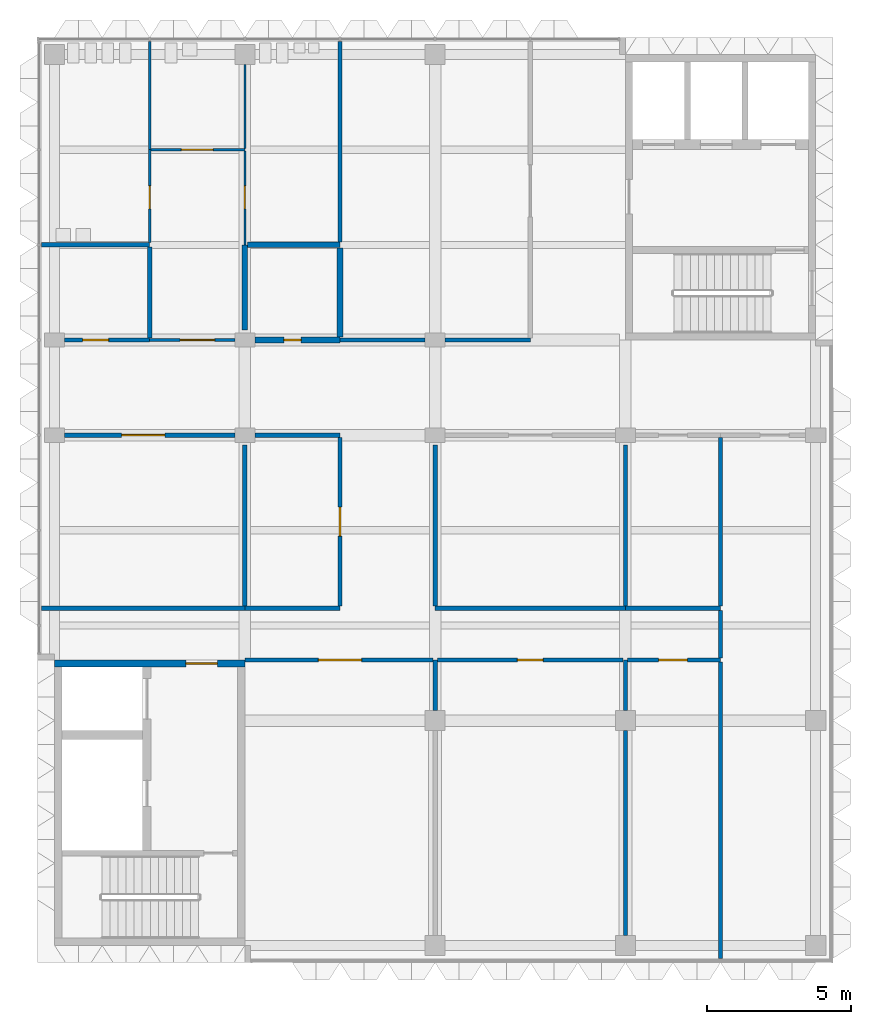
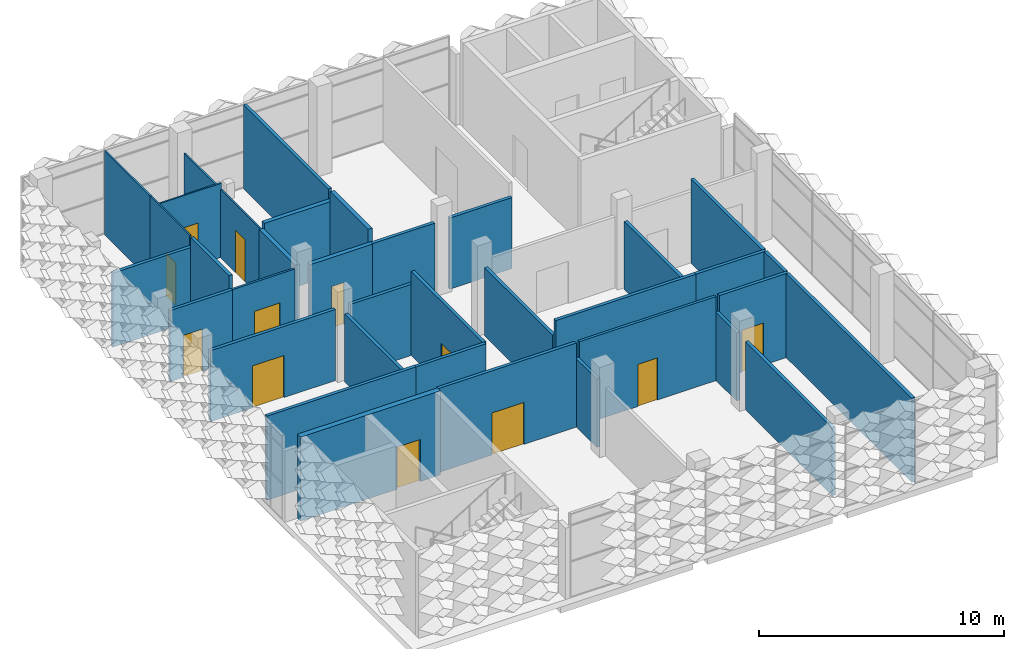
# One storey, part 9 of 28: 36 walls, 12 doors, 12 openings.
"""IFC4 building model written with IfcOpenShell, lengths in metres."""

import ifcopenshell
import ifcopenshell.guid

model = None  # the IFC model being written
_history = None  # IfcOwnerHistory: only IFC2X3 demands one
_inside = {}  # id of a spatial element -> (the spatial element, [elements in it])
_under = {}  # id of a project, library or spatial element -> (it, [spatial elements below it])
_declared = {}  # id of a project -> (the project, [libraries it declares])
_typed = {}  # id of a type object -> (the type object, [elements of that type])
_made_of = {}  # id of a material, layer set ... -> (it, [elements and type objects made of it])


def new_model(schema):
    """Start an empty IFC model of exactly this schema.

    Asked for "IFC4X3", IfcOpenShell would pick the latest addendum, in which some entities
    have other attributes; the version numbers below select the first issue.
    IFC2X3 requires an IfcOwnerHistory on every rooted entity: one is made here for all.
    """
    global model, _history
    if schema == "IFC4X3":
        model = ifcopenshell.file(schema_version=(4, 3, 0, 0))
    else:
        model = ifcopenshell.file(schema=schema)
    _inside.clear()
    _under.clear()
    _declared.clear()
    _typed.clear()
    _made_of.clear()
    _history = None
    if model.schema == "IFC2X3":
        org = make("IfcOrganization", Name="unknown")
        user = make(
            "IfcPersonAndOrganization",
            ThePerson=make("IfcPerson", FamilyName="unknown"),
            TheOrganization=org,
        )
        app = make(
            "IfcApplication",
            ApplicationDeveloper=org,
            Version="unknown",
            ApplicationFullName="unknown",
            ApplicationIdentifier="unknown",
        )
        _history = make(
            "IfcOwnerHistory",
            OwningUser=user,
            OwningApplication=app,
            ChangeAction="ADDED",
            CreationDate=0,
        )
    return model


def make(cls, **values):
    """One entity of the class cls with the attributes given. An attribute that is None is left unset."""
    return model.create_entity(
        cls, **{name: value for name, value in values.items() if value is not None}
    )


def rooted(cls, **values):
    """An entity with a GlobalId (a new one), such as an element, a storey or a relation."""
    return make(cls, GlobalId=ifcopenshell.guid.new(), OwnerHistory=_history, **values)


def si_unit(unit_type, name, prefix=None):
    """IfcSIUnit, for example si_unit("LENGTHUNIT", "METRE", prefix="MILLI")."""
    return make("IfcSIUnit", UnitType=unit_type, Prefix=prefix, Name=name)


def assignment(units):
    """IfcUnitAssignment: the units of a project."""
    return None if units is None else make("IfcUnitAssignment", Units=units)


def point(xyz):
    """IfcCartesianPoint."""
    return None if xyz is None else make("IfcCartesianPoint", Coordinates=xyz)


def direction(xyz):
    """IfcDirection."""
    return None if xyz is None else make("IfcDirection", DirectionRatios=xyz)


def frame(location, z_axis=None, x_axis=None):
    """IfcAxis2Placement3D, a coordinate frame: its origin and axes. An axis left out is left unset."""
    return make(
        "IfcAxis2Placement3D",
        Location=point(location),
        Axis=direction(z_axis),
        RefDirection=direction(x_axis),
    )


def frame_2d(location, x_axis=None):
    """IfcAxis2Placement2D, a coordinate frame in the plane: its origin and x axis."""
    return make(
        "IfcAxis2Placement2D", Location=point(location), RefDirection=direction(x_axis)
    )


def origin():
    """The frame at (0, 0, 0) with its axes left unset."""
    return frame((0.0, 0.0, 0.0))


def place(relative_to, where):
    """IfcLocalPlacement: puts the frame where relative to a parent placement (None: the world)."""
    return make(
        "IfcLocalPlacement", PlacementRelTo=relative_to, RelativePlacement=where
    )


def context(
    kind, dimensions, precision=None, world=None, true_north=None, identifier=None
):
    """IfcGeometricRepresentationContext, for example the 3D "Model" context."""
    return make(
        "IfcGeometricRepresentationContext",
        ContextIdentifier=identifier,
        ContextType=kind,
        CoordinateSpaceDimension=dimensions,
        Precision=precision,
        WorldCoordinateSystem=world,
        TrueNorth=true_north,
    )


def subcontext(parent, identifier, kind, view, scale=None):
    """IfcGeometricRepresentationSubContext, for example "Body" below "Model"."""
    return make(
        "IfcGeometricRepresentationSubContext",
        ContextIdentifier=identifier,
        ContextType=kind,
        ParentContext=parent,
        TargetScale=scale,
        TargetView=view,
    )


def project(units=None, contexts=None):
    """IfcProject with its units and contexts."""
    return rooted(
        "IfcProject",
        Name="project",
        RepresentationContexts=contexts,
        UnitsInContext=assignment(units),
    )


def spatial(cls, under=None, at=None, **own):
    """A site, building, storey or space (cls), placed at a placement, below another one or the project."""
    s = rooted(cls, ObjectPlacement=at, **own)
    if under is not None:
        _under.setdefault(under.id(), (under, []))[1].append(s)
    return s


def profile(cls, at=None, kind="AREA", **sizes):
    """A parametric profile (cls). Its sizes go by their IFC names, for example OverallWidth=200.0."""
    return make(cls, ProfileType=kind, Position=at, **sizes)


def rectangle(**sizes):
    """IfcRectangleProfileDef."""
    return profile("IfcRectangleProfileDef", **sizes)


def extrude(swept, where, along, depth):
    """IfcExtrudedAreaSolid: the profile swept, set in the frame where, extruded along a direction by depth."""
    return make(
        "IfcExtrudedAreaSolid",
        SweptArea=swept,
        Position=where,
        ExtrudedDirection=direction(along),
        Depth=depth,
    )


def shape(context_of_items, identifier, shape_type, items):
    """IfcShapeRepresentation: the items that make up one representation, for example the "Body"."""
    return make(
        "IfcShapeRepresentation",
        ContextOfItems=context_of_items,
        RepresentationIdentifier=identifier,
        RepresentationType=shape_type,
        Items=items,
    )


def material(Name=None, Category=None):
    """IfcMaterial."""
    return make("IfcMaterial", Name=Name, Category=Category)


def layer(
    of_material, thickness, ventilated=None, Name=None, Category=None, Priority=None
):
    """IfcMaterialLayer: one layer of a wall or slab, of a material (None: an air gap)."""
    return make(
        "IfcMaterialLayer",
        Material=of_material,
        LayerThickness=thickness,
        IsVentilated=ventilated,
        Name=Name,
        Category=Category,
        Priority=Priority,
    )


def layer_set(layers, Name=None):
    """IfcMaterialLayerSet."""
    return make("IfcMaterialLayerSet", MaterialLayers=layers, LayerSetName=Name)


def made_of(thing, what):
    """Note that an element or type object is made of a material, layer set ...; save() writes the relation."""
    if what is not None:
        _made_of.setdefault(what.id(), (what, []))[1].append(thing)
    return thing


def type_object(cls, material=None, **own):
    """A type object (cls), such as IfcWallType, which elements share."""
    return made_of(rooted(cls, **own), material)


def element(
    cls,
    number,
    at=None,
    inside=None,
    cuts=None,
    type_object=None,
    material=None,
    context=None,
    identifier="Body",
    shape_type=None,
    held_by="IfcProductDefinitionShape",
    body=None,
    shapes=None,
    **own,
):
    """One element of the class cls, such as IfcWall. Its Tag is "e" and its number.

    at: its placement. inside: the storey or other place that contains it. cuts: it is an
    opening in that element (IfcRelVoidsElement). A single representation is given by context,
    identifier, shape_type and body (its items); several are given by shapes. held_by: the class
    of the entity that holds the representations. save() writes the other relations.
    """
    e = rooted(cls, Tag="e%d" % number, ObjectPlacement=at, **own)
    if body is not None:
        shapes = [shape(context, identifier, shape_type, body)]
    if shapes is not None:
        e.Representation = make(held_by, Representations=shapes)
    if inside is not None:
        _inside.setdefault(inside.id(), (inside, []))[1].append(e)
    if cuts is not None:
        rooted(
            "IfcRelVoidsElement", RelatingBuildingElement=cuts, RelatedOpeningElement=e
        )
    if type_object is not None:
        _typed.setdefault(type_object.id(), (type_object, []))[1].append(e)
    return made_of(e, material)


def fill(opening, filler):
    """IfcRelFillsElement: the door or window that sits in an opening."""
    return rooted(
        "IfcRelFillsElement",
        RelatingOpeningElement=opening,
        RelatedBuildingElement=filler,
    )


def aggregate(whole, parts):
    """IfcRelAggregates: a whole, such as a stair, and the parts it consists of."""
    return rooted("IfcRelAggregates", RelatingObject=whole, RelatedObjects=parts)


def save(model, path):
    """Write the relations noted so far, then the file.

    IfcRelAggregates (storeys below a building ...), IfcRelContainedInSpatialStructure (elements
    in a storey), IfcRelDefinesByType, IfcRelAssociatesMaterial and IfcRelDeclares: one each for
    every whole, place, type object, material and project.
    """
    for whole, parts in _under.values():
        aggregate(whole, parts)
    for where, things in _inside.values():
        rooted(
            "IfcRelContainedInSpatialStructure",
            RelatedElements=things,
            RelatingStructure=where,
        )
    for kind, things in _typed.values():
        rooted("IfcRelDefinesByType", RelatedObjects=things, RelatingType=kind)
    for what, things in _made_of.values():
        rooted("IfcRelAssociatesMaterial", RelatedObjects=things, RelatingMaterial=what)
    for by, libraries in _declared.values():
        rooted("IfcRelDeclares", RelatingContext=by, RelatedDefinitions=libraries)
    model.write(path)


model = new_model("IFC4")

# Units and contexts
model_context = context("Model", 3, precision=1e-05, world=origin(), true_north=direction((0.0, 1.0)))
body_context = subcontext(model_context, "Body", "Model", "MODEL_VIEW")
ifc_project = project(units=[si_unit("LENGTHUNIT", "METRE"), si_unit("AREAUNIT", "SQUARE_METRE"), si_unit("VOLUMEUNIT", "CUBIC_METRE"), si_unit("PLANEANGLEUNIT", "RADIAN"), si_unit("MASSUNIT", "GRAM", prefix="KILO")], contexts=[model_context])

# Site, building, storey
site_placement = place(None, origin())
site = spatial("IfcSite", under=ifc_project, at=site_placement, CompositionType="ELEMENT")
building_placement = place(site_placement, origin())
building = spatial("IfcBuilding", under=site, at=building_placement, Name="Lantern Court Research Institute", CompositionType="ELEMENT")
storey_placement = place(building_placement, frame((0.0, 0.0, 36.89990234375)))
storey = spatial("IfcBuildingStorey", under=building, at=storey_placement, Name="L08", CompositionType="ELEMENT", Elevation=36.89990234375)

# Wall, opening, door
ifc_material_1 = material(Name="Fire-rated gypsum board partition, mineral wool filled")
ifc_layer_1 = layer(ifc_material_1, 0.199951171875)
ifc_layer_set_1 = layer_set([ifc_layer_1], Name="Fire-rated gypsum board partition, mineral wool filled")
wall_type_1 = type_object("IfcWallType", Name="Compartment wall 200 EI 120", PredefinedType="PARTITIONING", material=ifc_layer_set_1)
wall_1_placement = place(storey_placement, frame((59.75, 13.199951171875, 0.0), z_axis=(0.0, 0.0, 1.0), x_axis=(1.0, 0.0, 0.0)))
wall_1 = element("IfcWall", 1, at=wall_1_placement, inside=storey, type_object=wall_type_1, Name="Compartment wall 200 EI 120", PredefinedType="PARTITIONING", context=body_context, shape_type="SweptSolid", body=[
    extrude(rectangle(XDim=2.949951171875, YDim=0.199951171875, at=frame_2d((1.47509765625, 0.0))), origin(), (0.0, 0.0, 1.0), 3.550048828125),
])
opening_1_placement = place(wall_1_placement, frame((1.0, 0.0, 0.0)))
opening_1 = element("IfcOpeningElement", 2, at=opening_1_placement, cuts=wall_1, Name="Opening D5805", PredefinedType="OPENING", context=body_context, shape_type="SweptSolid", body=[
    extrude(rectangle(XDim=0.60009765625, YDim=2.10009765625, at=frame_2d((0.300048828125, 1.050048828125))), frame((0.0, 0.10986328125, 0.0), z_axis=(0.0, -1.0, 0.0), x_axis=(1.0, 0.0, 0.0)), (0.0, 0.0, 1.0), 0.219970703125),
])
ifc_material_2 = material(Name="Solid-core timber door leaf", Category="wood")
ifc_layer_2 = layer(ifc_material_2, 0.06005859375)
ifc_layer_set_2 = layer_set([ifc_layer_2], Name="Solid-core timber door leaf")
door_type_1 = type_object("IfcDoorType", Name="Service riser door 600 x 2100 single FD60", OperationType="NOTDEFINED", PredefinedType="DOOR", material=ifc_layer_set_2)
door_1_placement = place(opening_1_placement, origin())
door_1 = element("IfcDoor", 3, at=door_1_placement, inside=storey, type_object=door_type_1, Name="Door D5805", OperationType="SINGLE_SWING_RIGHT", OverallHeight=2.10009765625, OverallWidth=0.60009765625, PredefinedType="DOOR", context=body_context, shape_type="SweptSolid", body=[
    extrude(rectangle(XDim=0.60009765625, YDim=2.10009765625, at=frame_2d((0.300048828125, 1.050048828125))), frame((0.0, 0.030029296875, 0.0), z_axis=(0.0, -1.0, 0.0), x_axis=(1.0, 0.0, 0.0)), (0.0, 0.0, 1.0), 0.06005859375),
])
fill(opening_1, door_1)

# Walls
wall_2_placement = place(storey_placement, frame((59.39990234375, 13.550048828125, 0.0), z_axis=(0.0, 0.0, 1.0), x_axis=(0.0, 1.0, 0.0)))
element("IfcWall", 4, at=wall_2_placement, inside=storey, type_object=wall_type_1, Name="Compartment wall 200 EI 120", PredefinedType="PARTITIONING", context=body_context, shape_type="SweptSolid", body=[
    extrude(rectangle(XDim=2.949951171875, YDim=0.199951171875, at=frame_2d((1.47509765625, 0.0))), origin(), (0.0, 0.0, 1.0), 3.400146484375),
])
wall_3_placement = place(storey_placement, frame((62.699951171875, 16.5, 0.0), z_axis=(0.0, 0.0, 1.0), x_axis=(-1.0, 0.0, 0.0)))
element("IfcWall", 5, at=wall_3_placement, inside=storey, type_object=wall_type_1, Name="Compartment wall 200 EI 120", PredefinedType="PARTITIONING", context=body_context, shape_type="SweptSolid", body=[
    extrude(rectangle(XDim=3.199951171875, YDim=0.199951171875, at=frame_2d((1.60009765625, 0.0))), origin(), (0.0, 0.0, 1.0), 3.7001953125),
])
wall_4_placement = place(storey_placement, frame((62.699951171875, 13.300048828125, 0.0), z_axis=(0.0, 0.0, 1.0), x_axis=(0.0, 1.0, 0.0)))
element("IfcWall", 6, at=wall_4_placement, inside=storey, type_object=wall_type_1, Name="Compartment wall 200 EI 120", PredefinedType="PARTITIONING", context=body_context, shape_type="SweptSolid", body=[
    extrude(rectangle(XDim=3.099853515625, YDim=0.199951171875, at=frame_2d((1.5498046875, 0.0))), origin(), (0.0, 0.0, 1.0), 4.2001953125),
])

# Wall, opening, door
ifc_material_3 = material(Name="Fire-rated gypsum board partition, mineral wool filled")
ifc_layer_3 = layer(ifc_material_3, 0.125)
ifc_layer_set_3 = layer_set([ifc_layer_3], Name="Fire-rated gypsum board partition, mineral wool filled")
wall_type_2 = type_object("IfcWallType", Name="Corridor partition 125 EI 60", PredefinedType="PARTITIONING", material=ifc_layer_set_3)
wall_5_placement = place(storey_placement, frame((72.52490234375, 2.10009765625, 0.0), z_axis=(0.0, 0.0, 1.0), x_axis=(-1.0, 0.0, 0.0)))
wall_5 = element("IfcWall", 7, at=wall_5_placement, inside=storey, type_object=wall_type_2, Name="Corridor partition 125 EI 60", PredefinedType="PARTITIONING", context=body_context, shape_type="SweptSolid", body=[
    extrude(rectangle(XDim=6.449951171875, YDim=0.125, at=frame_2d((3.22509765625, 0.0))), origin(), (0.0, 0.0, 1.0), 4.2001953125),
])
opening_2_placement = place(wall_5_placement, frame((2.77490234375, 0.0, 0.0)))
opening_2 = element("IfcOpeningElement", 8, at=opening_2_placement, cuts=wall_5, Name="Opening D5809", PredefinedType="OPENING", context=body_context, shape_type="SweptSolid", body=[
    extrude(rectangle(XDim=0.89990234375, YDim=2.10009765625, at=frame_2d((0.449951171875, 1.050048828125))), frame((0.0, 0.072509765625, 0.0), z_axis=(0.0, -1.0, 0.0), x_axis=(1.0, 0.0, 0.0)), (0.0, 0.0, 1.0), 0.14501953125),
])
ifc_material_4 = material(Name="Solid-core timber door leaf", Category="wood")
ifc_layer_4 = layer(ifc_material_4, 0.053955078125)
ifc_layer_set_4 = layer_set([ifc_layer_4], Name="Solid-core timber door leaf")
door_type_2 = type_object("IfcDoorType", Name="Office door 900 x 2100 single FD30S", OperationType="NOTDEFINED", PredefinedType="DOOR", material=ifc_layer_set_4)
door_2_placement = place(opening_2_placement, origin())
door_2 = element("IfcDoor", 9, at=door_2_placement, inside=storey, type_object=door_type_2, Name="Door D5809", OperationType="SINGLE_SWING_LEFT", OverallHeight=2.10009765625, OverallWidth=0.89990234375, PredefinedType="DOOR", context=body_context, shape_type="SweptSolid", body=[
    extrude(rectangle(XDim=0.89990234375, YDim=2.10009765625, at=frame_2d((0.449951171875, 1.050048828125))), frame((0.0, 0.02685546875, 0.0), z_axis=(0.0, -1.0, 0.0), x_axis=(1.0, 0.0, 0.0)), (0.0, 0.0, 1.0), 0.053955078125),
])
fill(opening_2, door_2)

ifc_material_5 = material(Name="Fire-rated gypsum board partition, mineral wool filled")
ifc_layer_5 = layer(ifc_material_5, 0.14990234375)
ifc_layer_set_5 = layer_set([ifc_layer_5], Name="Fire-rated gypsum board partition, mineral wool filled")
wall_type_3 = type_object("IfcWallType", Name="Laboratory partition 150 EI 60", PredefinedType="PARTITIONING", material=ifc_layer_set_5)
wall_6_placement = place(storey_placement, frame((56.10009765625, 13.199951171875, 0.0), z_axis=(0.0, 0.0, 1.0), x_axis=(-1.0, 0.0, 0.0)))
wall_6 = element("IfcWall", 10, at=wall_6_placement, inside=storey, type_object=wall_type_3, Name="Laboratory partition 150 EI 60", PredefinedType="PARTITIONING", context=body_context, shape_type="SweptSolid", body=[
    extrude(rectangle(XDim=2.9501953125, YDim=0.14990234375, at=frame_2d((1.47509765625, 0.0))), origin(), (0.0, 0.0, 1.0), 3.550048828125),
])
opening_3_placement = place(wall_6_placement, frame((1.425048828125, 0.0, 0.0)))
opening_3 = element("IfcOpeningElement", 11, at=opening_3_placement, cuts=wall_6, Name="Opening D5801", PredefinedType="OPENING", context=body_context, shape_type="SweptSolid", body=[
    extrude(rectangle(XDim=0.89990234375, YDim=2.10009765625, at=frame_2d((0.449951171875, 1.050048828125))), frame((0.0, 0.0849609375, 0.0), z_axis=(0.0, -1.0, 0.0), x_axis=(1.0, 0.0, 0.0)), (0.0, 0.0, 1.0), 0.169921875),
])
ifc_material_6 = material(Name="Solid-core timber door leaf", Category="wood")
ifc_layer_6 = layer(ifc_material_6, 0.053955078125)
ifc_layer_set_6 = layer_set([ifc_layer_6], Name="Solid-core timber door leaf")
door_type_3 = type_object("IfcDoorType", Name="Cleaners store door 900 x 2100 single FD30S", OperationType="NOTDEFINED", PredefinedType="DOOR", material=ifc_layer_set_6)
door_3_placement = place(opening_3_placement, origin())
door_3 = element("IfcDoor", 12, at=door_3_placement, inside=storey, type_object=door_type_3, Name="Door D5801", OperationType="SINGLE_SWING_LEFT", OverallHeight=2.10009765625, OverallWidth=0.89990234375, PredefinedType="DOOR", context=body_context, shape_type="SweptSolid", body=[
    extrude(rectangle(XDim=0.89990234375, YDim=2.10009765625, at=frame_2d((0.449951171875, 1.050048828125))), frame((0.0, 0.02685546875, 0.0), z_axis=(0.0, -1.0, 0.0), x_axis=(1.0, 0.0, 0.0)), (0.0, 0.0, 1.0), 0.053955078125),
])
fill(opening_3, door_3)

# Walls
for number, where, z_axis, x_axis, name in (
    (13, (69.300048828125, 13.199951171875, 0.0), (0.0, 0.0, 1.0), (-1.0, 0.0, 0.0), "Laboratory partition 150 EI 60"),
    (14, (65.64990234375, 13.199951171875, 0.0), (0.0, 0.0, 1.0), (-1.0, 0.0, 0.0), "Laboratory partition 150 EI 60"),
):
    element("IfcWall", number, at=place(storey_placement, frame(where, z_axis=z_axis, x_axis=x_axis)), inside=storey, type_object=wall_type_3, Name=name, PredefinedType="PARTITIONING", context=body_context, shape_type="SweptSolid", body=[
        extrude(rectangle(XDim=2.949951171875, YDim=0.14990234375, at=frame_2d((1.47509765625, 0.0))), origin(), (0.0, 0.0, 1.0), 3.550048828125),
    ])

# Wall, opening, door
wall_7_placement = place(storey_placement, frame((53.14990234375, 9.89990234375, 0.0), z_axis=(0.0, 0.0, 1.0), x_axis=(1.0, 0.0, 0.0)))
wall_7 = element("IfcWall", 15, at=wall_7_placement, inside=storey, type_object=wall_type_3, Name="Laboratory partition 150 EI 60", PredefinedType="PARTITIONING", context=body_context, shape_type="SweptSolid", body=[
    extrude(rectangle(XDim=5.900146484375, YDim=0.14990234375, at=frame_2d((2.9501953125, 0.0))), origin(), (0.0, 0.0, 1.0), 3.550048828125),
])
opening_4_placement = place(wall_7_placement, frame((1.97509765625, 0.0, 0.0)))
opening_4 = element("IfcOpeningElement", 16, at=opening_4_placement, cuts=wall_7, Name="Opening D5811", PredefinedType="OPENING", context=body_context, shape_type="SweptSolid", body=[
    extrude(rectangle(XDim=1.5, YDim=2.10009765625, at=frame_2d((0.75, 1.050048828125))), frame((0.0, 0.0849609375, 0.0), z_axis=(0.0, -1.0, 0.0), x_axis=(1.0, 0.0, 0.0)), (0.0, 0.0, 1.0), 0.169921875),
])
ifc_material_7 = material(Name="Solid-core timber door leaf with vision panel", Category="wood")
ifc_layer_7 = layer(ifc_material_7, 0.053955078125)
ifc_layer_set_7 = layer_set([ifc_layer_7], Name="Solid-core timber door leaf with vision panel")
door_type_4 = type_object("IfcDoorType", Name="Laboratory double door 1500 x 2100 pair FD30S", OperationType="DOUBLE_DOOR_SINGLE_SWING", PredefinedType="DOOR", material=ifc_layer_set_7)
door_4_placement = place(opening_4_placement, origin())
door_4 = element("IfcDoor", 17, at=door_4_placement, inside=storey, type_object=door_type_4, Name="Door D5811", OperationType="DOUBLE_DOOR_SINGLE_SWING", OverallHeight=2.10009765625, OverallWidth=1.5, PredefinedType="DOOR", context=body_context, shape_type="SweptSolid", body=[
    extrude(rectangle(XDim=1.5, YDim=2.10009765625, at=frame_2d((0.75, 1.050048828125))), frame((0.0, 0.02685546875, 0.0), z_axis=(0.0, -1.0, 0.0), x_axis=(1.0, 0.0, 0.0)), (0.0, 0.0, 1.0), 0.053955078125),
])
fill(opening_4, door_4)

# Walls
wall_8_placement = place(storey_placement, frame((59.75, 9.89990234375, 0.0), z_axis=(0.0, 0.0, 1.0), x_axis=(1.0, 0.0, 0.0)))
element("IfcWall", 18, at=wall_8_placement, inside=storey, type_object=wall_type_3, Name="Laboratory partition 150 EI 60", PredefinedType="PARTITIONING", context=body_context, shape_type="SweptSolid", body=[
    extrude(rectangle(XDim=2.949951171875, YDim=0.14990234375, at=frame_2d((1.47509765625, 0.0))), origin(), (0.0, 0.0, 1.0), 3.550048828125),
])
wall_9_placement = place(storey_placement, frame((56.10009765625, 16.5, 0.0), z_axis=(0.0, 0.0, 1.0), x_axis=(-1.0, 0.0, 0.0)))
element("IfcWall", 19, at=wall_9_placement, inside=storey, type_object=wall_type_3, Name="Laboratory partition 150 EI 60", PredefinedType="PARTITIONING", context=body_context, shape_type="SweptSolid", body=[
    extrude(rectangle(XDim=3.75, YDim=0.14990234375, at=frame_2d((1.875, 0.0))), origin(), (0.0, 0.0, 1.0), 3.7001953125),
])
wall_10_placement = place(storey_placement, frame((56.10009765625, 13.27490234375, 0.0), z_axis=(0.0, 0.0, 1.0), x_axis=(0.0, 1.0, 0.0)))
element("IfcWall", 20, at=wall_10_placement, inside=storey, type_object=wall_type_3, Name="Laboratory partition 150 EI 60", PredefinedType="PARTITIONING", context=body_context, shape_type="SweptSolid", body=[
    extrude(rectangle(XDim=3.150146484375, YDim=0.14990234375, at=frame_2d((1.5751953125, 0.0))), origin(), (0.0, 0.0, 1.0), 4.2001953125),
])
wall_11_placement = place(storey_placement, frame((62.699951171875, 16.60009765625, 0.0), z_axis=(0.0, 0.0, 1.0), x_axis=(0.0, 1.0, 0.0)))
element("IfcWall", 21, at=wall_11_placement, inside=storey, type_object=wall_type_3, Name="Laboratory partition 150 EI 60", PredefinedType="PARTITIONING", context=body_context, shape_type="SweptSolid", body=[
    extrude(rectangle(XDim=6.949951171875, YDim=0.14990234375, at=frame_2d((3.47509765625, 0.0))), origin(), (0.0, 0.0, 1.0), 4.2001953125),
])
wall_12_placement = place(storey_placement, frame((66.0, 0.35009765625, 0.0), z_axis=(0.0, 0.0, 1.0), x_axis=(0.0, 1.0, 0.0)))
element("IfcWall", 22, at=wall_12_placement, inside=storey, type_object=wall_type_3, Name="Laboratory partition 150 EI 60", PredefinedType="PARTITIONING", context=body_context, shape_type="SweptSolid", body=[
    extrude(rectangle(XDim=1.75, YDim=0.14990234375, at=frame_2d((0.875, 0.0))), origin(), (0.0, 0.0, 1.0), 3.400146484375),
])

# Wall, opening, door
wall_13_placement = place(storey_placement, frame((65.925048828125, 2.10009765625, 0.0), z_axis=(0.0, 0.0, 1.0), x_axis=(-1.0, 0.0, 0.0)))
wall_13 = element("IfcWall", 23, at=wall_13_placement, inside=storey, type_object=wall_type_3, Name="Laboratory partition 150 EI 60", PredefinedType="PARTITIONING", context=body_context, shape_type="SweptSolid", body=[
    extrude(rectangle(XDim=6.52490234375, YDim=0.14990234375, at=frame_2d((3.262451171875, 0.0))), origin(), (0.0, 0.0, 1.0), 4.2001953125),
])
opening_5_placement = place(wall_13_placement, frame((2.47509765625, 0.0, 0.0)))
opening_5 = element("IfcOpeningElement", 24, at=opening_5_placement, cuts=wall_13, Name="Opening D5808", PredefinedType="OPENING", context=body_context, shape_type="SweptSolid", body=[
    extrude(rectangle(XDim=1.5, YDim=2.10009765625, at=frame_2d((0.75, 1.050048828125))), frame((0.0, 0.0849609375, 0.0), z_axis=(0.0, -1.0, 0.0), x_axis=(1.0, 0.0, 0.0)), (0.0, 0.0, 1.0), 0.169921875),
])
door_5_placement = place(opening_5_placement, origin())
door_5 = element("IfcDoor", 25, at=door_5_placement, inside=storey, type_object=door_type_4, Name="Door D5808", OperationType="DOUBLE_DOOR_SINGLE_SWING", OverallHeight=2.10009765625, OverallWidth=1.5, PredefinedType="DOOR", context=body_context, shape_type="SweptSolid", body=[
    extrude(rectangle(XDim=1.5, YDim=2.10009765625, at=frame_2d((0.75, 1.050048828125))), frame((0.0, 0.02685546875, 0.0), z_axis=(0.0, -1.0, 0.0), x_axis=(1.0, 0.0, 0.0)), (0.0, 0.0, 1.0), 0.053955078125),
])
fill(opening_5, door_5)

# Walls
wall_14_placement = place(storey_placement, frame((72.60009765625, -7.449951171875, 0.0), z_axis=(0.0, 0.0, 1.0), x_axis=(0.0, 1.0, 0.0)))
element("IfcWall", 26, at=wall_14_placement, inside=storey, type_object=wall_type_3, Name="Laboratory partition 150 EI 60", PredefinedType="PARTITIONING", context=body_context, shape_type="SweptSolid", body=[
    extrude(rectangle(XDim=7.099853515625, YDim=0.14990234375, at=frame_2d((3.5498046875, 0.0))), origin(), (0.0, 0.0, 1.0), 3.400146484375),
])
wall_15_placement = place(storey_placement, frame((72.60009765625, 0.35009765625, 0.0), z_axis=(0.0, 0.0, 1.0), x_axis=(0.0, 1.0, 0.0)))
element("IfcWall", 27, at=wall_15_placement, inside=storey, type_object=wall_type_3, Name="Laboratory partition 150 EI 60", PredefinedType="PARTITIONING", context=body_context, shape_type="SweptSolid", body=[
    extrude(rectangle(XDim=1.75, YDim=0.14990234375, at=frame_2d((0.875, 0.0))), origin(), (0.0, 0.0, 1.0), 3.400146484375),
])

# Wall, opening, door
wall_16_placement = place(storey_placement, frame((75.89990234375, 2.10009765625, 0.0), z_axis=(0.0, 0.0, 1.0), x_axis=(-1.0, 0.0, 0.0)))
wall_16 = element("IfcWall", 28, at=wall_16_placement, inside=storey, type_object=wall_type_3, Name="Laboratory partition 150 EI 60", PredefinedType="PARTITIONING", context=body_context, shape_type="SweptSolid", body=[
    extrude(rectangle(XDim=3.224853515625, YDim=0.14990234375, at=frame_2d((1.6123046875, 0.0))), origin(), (0.0, 0.0, 1.0), 4.2001953125),
])
opening_6_placement = place(wall_16_placement, frame((1.14990234375, 0.0, 0.0)))
opening_6 = element("IfcOpeningElement", 29, at=opening_6_placement, cuts=wall_16, Name="Opening D5810", PredefinedType="OPENING", context=body_context, shape_type="SweptSolid", body=[
    extrude(rectangle(XDim=1.0, YDim=2.10009765625, at=frame_2d((0.5, 1.050048828125))), frame((0.0, 0.0849609375, 0.0), z_axis=(0.0, -1.0, 0.0), x_axis=(1.0, 0.0, 0.0)), (0.0, 0.0, 1.0), 0.169921875),
])
ifc_material_8 = material(Name="Solid-core timber door leaf with vision panel", Category="wood")
ifc_layer_8 = layer(ifc_material_8, 0.053955078125)
ifc_layer_set_8 = layer_set([ifc_layer_8], Name="Solid-core timber door leaf with vision panel")
door_type_5 = type_object("IfcDoorType", Name="Laboratory door 1000 x 2100 single FD30S", OperationType="NOTDEFINED", PredefinedType="DOOR", material=ifc_layer_set_8)
door_6_placement = place(opening_6_placement, origin())
door_6 = element("IfcDoor", 30, at=door_6_placement, inside=storey, type_object=door_type_5, Name="Door D5810", OperationType="SINGLE_SWING_LEFT", OverallHeight=2.10009765625, OverallWidth=1.0, PredefinedType="DOOR", context=body_context, shape_type="SweptSolid", body=[
    extrude(rectangle(XDim=1.0, YDim=2.10009765625, at=frame_2d((0.5, 1.050048828125))), frame((0.0, 0.02685546875, 0.0), z_axis=(0.0, -1.0, 0.0), x_axis=(1.0, 0.0, 0.0)), (0.0, 0.0, 1.0), 0.053955078125),
])
fill(opening_6, door_6)

# Walls
wall_17_placement = place(storey_placement, frame((75.89990234375, -8.25, 0.0), z_axis=(0.0, 0.0, 1.0), x_axis=(0.0, 1.0, 0.0)))
element("IfcWall", 31, at=wall_17_placement, inside=storey, type_object=wall_type_3, Name="Laboratory partition 150 EI 60", PredefinedType="PARTITIONING", context=body_context, shape_type="SweptSolid", body=[
    extrude(rectangle(XDim=10.27490234375, YDim=0.14990234375, at=frame_2d((5.137451171875, 0.0))), origin(), (0.0, 0.0, 1.0), 4.2001953125),
])
wall_18_placement = place(storey_placement, frame((59.39990234375, 3.89990234375, 0.0), z_axis=(0.0, 0.0, 1.0), x_axis=(-1.0, 0.0, 0.0)))
element("IfcWall", 32, at=wall_18_placement, inside=storey, type_object=wall_type_3, Name="Laboratory partition 150 EI 60", PredefinedType="PARTITIONING", context=body_context, shape_type="SweptSolid", body=[
    extrude(rectangle(XDim=7.0498046875, YDim=0.14990234375, at=frame_2d((3.52490234375, 0.0))), origin(), (0.0, 0.0, 1.0), 4.2001953125),
])
wall_19_placement = place(storey_placement, frame((62.699951171875, 3.89990234375, 0.0), z_axis=(0.0, 0.0, 1.0), x_axis=(-1.0, 0.0, 0.0)))
element("IfcWall", 33, at=wall_19_placement, inside=storey, type_object=wall_type_3, Name="Laboratory partition 150 EI 60", PredefinedType="PARTITIONING", context=body_context, shape_type="SweptSolid", body=[
    extrude(rectangle(XDim=3.300048828125, YDim=0.14990234375, at=frame_2d((1.64990234375, 0.0))), origin(), (0.0, 0.0, 1.0), 4.2001953125),
])
wall_20_placement = place(storey_placement, frame((72.60009765625, 3.89990234375, 0.0), z_axis=(0.0, 0.0, 1.0), x_axis=(-1.0, 0.0, 0.0)))
element("IfcWall", 34, at=wall_20_placement, inside=storey, type_object=wall_type_3, Name="Laboratory partition 150 EI 60", PredefinedType="PARTITIONING", context=body_context, shape_type="SweptSolid", body=[
    extrude(rectangle(XDim=6.60009765625, YDim=0.14990234375, at=frame_2d((3.300048828125, 0.0))), origin(), (0.0, 0.0, 1.0), 4.2001953125),
])
wall_21_placement = place(storey_placement, frame((75.89990234375, 3.89990234375, 0.0), z_axis=(0.0, 0.0, 1.0), x_axis=(-1.0, 0.0, 0.0)))
element("IfcWall", 35, at=wall_21_placement, inside=storey, type_object=wall_type_3, Name="Laboratory partition 150 EI 60", PredefinedType="PARTITIONING", context=body_context, shape_type="SweptSolid", body=[
    extrude(rectangle(XDim=3.2998046875, YDim=0.14990234375, at=frame_2d((1.64990234375, 0.0))), origin(), (0.0, 0.0, 1.0), 4.2001953125),
])
wall_22_placement = place(storey_placement, frame((75.89990234375, 2.175048828125, 0.0), z_axis=(0.0, 0.0, 1.0), x_axis=(0.0, 1.0, 0.0)))
element("IfcWall", 36, at=wall_22_placement, inside=storey, type_object=wall_type_3, Name="Laboratory partition 150 EI 60", PredefinedType="PARTITIONING", context=body_context, shape_type="SweptSolid", body=[
    extrude(rectangle(XDim=1.64990234375, YDim=0.14990234375, at=frame_2d((0.824951171875, 0.0))), origin(), (0.0, 0.0, 1.0), 4.2001953125),
])
wall_23_placement = place(storey_placement, frame((59.39990234375, 3.97509765625, 0.0), z_axis=(0.0, 0.0, 1.0), x_axis=(0.0, 1.0, 0.0)))
element("IfcWall", 37, at=wall_23_placement, inside=storey, type_object=wall_type_3, Name="Laboratory partition 150 EI 60", PredefinedType="PARTITIONING", context=body_context, shape_type="SweptSolid", body=[
    extrude(rectangle(XDim=5.574951171875, YDim=0.14990234375, at=frame_2d((2.78759765625, 0.0))), origin(), (0.0, 0.0, 1.0), 3.400146484375),
])

# Wall, opening, door
wall_24_placement = place(storey_placement, frame((62.699951171875, 9.824951171875, 0.0), z_axis=(0.0, 0.0, 1.0), x_axis=(0.0, -1.0, 0.0)))
wall_24 = element("IfcWall", 38, at=wall_24_placement, inside=storey, type_object=wall_type_3, Name="Laboratory partition 150 EI 60", PredefinedType="PARTITIONING", context=body_context, shape_type="SweptSolid", body=[
    extrude(rectangle(XDim=5.849853515625, YDim=0.14990234375, at=frame_2d((2.9248046875, 0.0))), origin(), (0.0, 0.0, 1.0), 4.2001953125),
])
opening_7_placement = place(wall_24_placement, frame((2.425048828125, 0.0, 0.0)))
opening_7 = element("IfcOpeningElement", 39, at=opening_7_placement, cuts=wall_24, Name="Opening D5812", PredefinedType="OPENING", context=body_context, shape_type="SweptSolid", body=[
    extrude(rectangle(XDim=1.0, YDim=2.10009765625, at=frame_2d((0.5, 1.050048828125))), frame((0.0, 0.0849609375, 0.0), z_axis=(0.0, -1.0, 0.0), x_axis=(1.0, 0.0, 0.0)), (0.0, 0.0, 1.0), 0.169921875),
])
door_7_placement = place(opening_7_placement, origin())
door_7 = element("IfcDoor", 40, at=door_7_placement, inside=storey, type_object=door_type_5, Name="Door D5812", OperationType="SINGLE_SWING_RIGHT", OverallHeight=2.10009765625, OverallWidth=1.0, PredefinedType="DOOR", context=body_context, shape_type="SweptSolid", body=[
    extrude(rectangle(XDim=1.0, YDim=2.10009765625, at=frame_2d((0.5, 1.050048828125))), frame((0.0, 0.02685546875, 0.0), z_axis=(0.0, -1.0, 0.0), x_axis=(1.0, 0.0, 0.0)), (0.0, 0.0, 1.0), 0.053955078125),
])
fill(opening_7, door_7)

# Walls
for number, where, z_axis, x_axis, name in (
    (41, (66.0, 3.97509765625, 0.0), (0.0, 0.0, 1.0), (0.0, 1.0, 0.0), "Laboratory partition 150 EI 60"),
    (42, (72.60009765625, 3.97509765625, 0.0), (0.0, 0.0, 1.0), (0.0, 1.0, 0.0), "Laboratory partition 150 EI 60"),
):
    element("IfcWall", number, at=place(storey_placement, frame(where, z_axis=z_axis, x_axis=x_axis)), inside=storey, type_object=wall_type_3, Name=name, PredefinedType="PARTITIONING", context=body_context, shape_type="SweptSolid", body=[
        extrude(rectangle(XDim=5.574951171875, YDim=0.14990234375, at=frame_2d((2.78759765625, 0.0))), origin(), (0.0, 0.0, 1.0), 3.400146484375),
    ])
wall_25_placement = place(storey_placement, frame((75.89990234375, 3.97509765625, 0.0), z_axis=(0.0, 0.0, 1.0), x_axis=(0.0, 1.0, 0.0)))
element("IfcWall", 43, at=wall_25_placement, inside=storey, type_object=wall_type_3, Name="Laboratory partition 150 EI 60", PredefinedType="PARTITIONING", context=body_context, shape_type="SweptSolid", body=[
    extrude(rectangle(XDim=5.849853515625, YDim=0.14990234375, at=frame_2d((2.9248046875, 0.0))), origin(), (0.0, 0.0, 1.0), 4.2001953125),
])

# Wall, opening, door
ifc_material_9 = material(Name="Gypsum board partition, mineral wool filled")
ifc_layer_9 = layer(ifc_material_9, 0.10009765625)
ifc_layer_set_9 = layer_set([ifc_layer_9], Name="Gypsum board partition, mineral wool filled")
wall_type_4 = type_object("IfcWallType", Name="Partition 100", PredefinedType="PARTITIONING", material=ifc_layer_set_9)
wall_26_placement = place(storey_placement, frame((56.10009765625, 13.199951171875, 0.0), z_axis=(0.0, 0.0, 1.0), x_axis=(1.0, 0.0, 0.0)))
wall_26 = element("IfcWall", 44, at=wall_26_placement, inside=storey, type_object=wall_type_4, Name="Partition 100", PredefinedType="PARTITIONING", context=body_context, shape_type="SweptSolid", body=[
    extrude(rectangle(XDim=2.949951171875, YDim=0.10009765625, at=frame_2d((1.47509765625, 0.0))), origin(), (0.0, 0.0, 1.0), 3.550048828125),
])
opening_8_placement = place(wall_26_placement, frame((1.050048828125, 0.0, 0.0)))
opening_8 = element("IfcOpeningElement", 45, at=opening_8_placement, cuts=wall_26, Name="Opening D5803", PredefinedType="OPENING", context=body_context, shape_type="SweptSolid", body=[
    extrude(rectangle(XDim=1.199951171875, YDim=2.10009765625, at=frame_2d((0.60009765625, 1.050048828125))), frame((0.0, 0.06005859375, 0.0), z_axis=(0.0, -1.0, 0.0), x_axis=(1.0, 0.0, 0.0)), (0.0, 0.0, 1.0), 0.1201171875),
])
ifc_material_10 = material(Name="Solid-core timber door leaf", Category="wood")
ifc_layer_10 = layer(ifc_material_10, 0.0439453125)
ifc_layer_set_10 = layer_set([ifc_layer_10], Name="Solid-core timber door leaf")
door_type_6 = type_object("IfcDoorType", Name="WC vestibule door 1200 x 2100 single NOT RATED", OperationType="NOTDEFINED", PredefinedType="DOOR", material=ifc_layer_set_10)
door_8_placement = place(opening_8_placement, origin())
door_8 = element("IfcDoor", 46, at=door_8_placement, inside=storey, type_object=door_type_6, Name="Door D5803", OperationType="SINGLE_SWING_RIGHT", OverallHeight=2.10009765625, OverallWidth=1.199951171875, PredefinedType="DOOR", context=body_context, shape_type="SweptSolid", body=[
    extrude(rectangle(XDim=1.199951171875, YDim=2.10009765625, at=frame_2d((0.60009765625, 1.050048828125))), frame((0.0, 0.02197265625, 0.0), z_axis=(0.0, -1.0, 0.0), x_axis=(1.0, 0.0, 0.0)), (0.0, 0.0, 1.0), 0.0439453125),
])
fill(opening_8, door_8)

ifc_material_11 = material(Name="Concrete C40/50", Category="concrete")
ifc_layer_11 = layer(ifc_material_11, 0.25)
ifc_layer_set_11 = layer_set([ifc_layer_11], Name="Concrete C40/50")
wall_type_5 = type_object("IfcWallType", Name="RC core wall 250", PredefinedType="SHEAR", material=ifc_layer_set_11)
wall_27_placement = place(storey_placement, frame((59.39990234375, 1.97509765625, 0.0), z_axis=(0.0, 0.0, 1.0), x_axis=(-1.0, 0.0, 0.0)))
wall_27 = element("IfcWall", 47, at=wall_27_placement, inside=storey, type_object=wall_type_5, Name="North wall of core TC-W", PredefinedType="SHEAR", context=body_context, shape_type="SweptSolid", body=[
    extrude(rectangle(XDim=6.599853515625, YDim=0.25, at=frame_2d((3.2998046875, 0.0))), origin(), (0.0, 0.0, 1.0), 4.2001953125),
])
opening_9_placement = place(wall_27_placement, frame((0.949951171875, 0.0, 0.0)))
opening_9 = element("IfcOpeningElement", 48, at=opening_9_placement, cuts=wall_27, Name="Opening D7133", PredefinedType="OPENING", context=body_context, shape_type="SweptSolid", body=[
    extrude(rectangle(XDim=1.10009765625, YDim=2.10009765625, at=frame_2d((0.550048828125, 1.050048828125))), frame((0.0, 0.135009765625, 0.0), z_axis=(0.0, -1.0, 0.0), x_axis=(1.0, 0.0, 0.0)), (0.0, 0.0, 1.0), 0.27001953125),
])
ifc_material_12 = material(Name="Steel fire door leaf with smoke seals", Category="steel")
door_type_7 = type_object("IfcDoorType", Name="Door 1100 x 2100 fire rated FD60S", OperationType="NOTDEFINED", PredefinedType="DOOR", material=ifc_material_12)
door_9_placement = place(opening_9_placement, origin())
door_9 = element("IfcDoor", 49, at=door_9_placement, inside=storey, type_object=door_type_7, Name="Lobby door", OperationType="SINGLE_SWING_RIGHT", OverallHeight=2.10009765625, OverallWidth=1.10009765625, PredefinedType="DOOR", context=body_context, shape_type="SweptSolid", body=[
    extrude(rectangle(XDim=1.10009765625, YDim=2.10009765625, at=frame_2d((0.550048828125, 1.050048828125))), frame((0.0, 0.02490234375, 0.0), z_axis=(0.0, -1.0, 0.0), x_axis=(1.0, 0.0, 0.0)), (0.0, 0.0, 1.0), 0.050048828125),
])
fill(opening_9, door_9)

ifc_material_13 = material(Name="Gypsum board partition, mineral wool filled")
ifc_layer_12 = layer(ifc_material_13, 0.074951171875)
ifc_layer_set_12 = layer_set([ifc_layer_12], Name="Gypsum board partition, mineral wool filled")
wall_type_6 = type_object("IfcWallType", Name="Wet room partition 75", PredefinedType="PARTITIONING", material=ifc_layer_set_12)
wall_28_placement = place(storey_placement, frame((56.10009765625, 16.574951171875, 0.0), z_axis=(0.0, 0.0, 1.0), x_axis=(0.0, 1.0, 0.0)))
wall_28 = element("IfcWall", 50, at=wall_28_placement, inside=storey, type_object=wall_type_6, Name="Wet room partition 75", PredefinedType="PARTITIONING", context=body_context, shape_type="SweptSolid", body=[
    extrude(rectangle(XDim=3.22509765625, YDim=0.074951171875, at=frame_2d((1.612548828125, 0.0))), origin(), (0.0, 0.0, 1.0), 4.2001953125),
])
opening_10_placement = place(wall_28_placement, frame((1.175048828125, 0.0, 0.0)))
opening_10 = element("IfcOpeningElement", 51, at=opening_10_placement, cuts=wall_28, Name="Opening D5802", PredefinedType="OPENING", context=body_context, shape_type="SweptSolid", body=[
    extrude(rectangle(XDim=0.800048828125, YDim=2.10009765625, at=frame_2d((0.39990234375, 1.050048828125))), frame((0.0, 0.04736328125, 0.0), z_axis=(0.0, -1.0, 0.0), x_axis=(1.0, 0.0, 0.0)), (0.0, 0.0, 1.0), 0.094970703125),
])
ifc_material_14 = material(Name="Solid-core timber door leaf", Category="wood")
ifc_layer_13 = layer(ifc_material_14, 0.0439453125)
ifc_layer_set_13 = layer_set([ifc_layer_13], Name="Solid-core timber door leaf")
door_type_8 = type_object("IfcDoorType", Name="WC door 800 x 2100 single NOT RATED", OperationType="NOTDEFINED", PredefinedType="DOOR", material=ifc_layer_set_13)
door_10_placement = place(opening_10_placement, origin())
door_10 = element("IfcDoor", 52, at=door_10_placement, inside=storey, type_object=door_type_8, Name="Door D5802", OperationType="SINGLE_SWING_LEFT", OverallHeight=2.10009765625, OverallWidth=0.800048828125, PredefinedType="DOOR", context=body_context, shape_type="SweptSolid", body=[
    extrude(rectangle(XDim=0.800048828125, YDim=2.10009765625, at=frame_2d((0.39990234375, 1.050048828125))), frame((0.0, 0.02197265625, 0.0), z_axis=(0.0, -1.0, 0.0), x_axis=(1.0, 0.0, 0.0)), (0.0, 0.0, 1.0), 0.0439453125),
])
fill(opening_10, door_10)

# Wall
wall_29_placement = place(storey_placement, frame((56.10009765625, 19.800048828125, 0.0), z_axis=(0.0, 0.0, 1.0), x_axis=(0.0, 1.0, 0.0)))
element("IfcWall", 53, at=wall_29_placement, inside=storey, type_object=wall_type_6, Name="Wet room partition 75", PredefinedType="PARTITIONING", context=body_context, shape_type="SweptSolid", body=[
    extrude(rectangle(XDim=3.75, YDim=0.074951171875, at=frame_2d((1.875, 0.0))), origin(), (0.0, 0.0, 1.0), 4.2001953125),
])

# Wall, opening, door
wall_30_placement = place(storey_placement, frame((56.137451171875, 19.800048828125, 0.0), z_axis=(0.0, 0.0, 1.0), x_axis=(1.0, 0.0, 0.0)))
wall_30 = element("IfcWall", 54, at=wall_30_placement, inside=storey, type_object=wall_type_6, Name="Wet room partition 75", PredefinedType="PARTITIONING", context=body_context, shape_type="SweptSolid", body=[
    extrude(rectangle(XDim=3.262451171875, YDim=0.074951171875, at=frame_2d((1.63134765625, 0.0))), origin(), (0.0, 0.0, 1.0), 3.7001953125),
])
opening_11_placement = place(wall_30_placement, frame((1.0625, 0.0, 0.0)))
opening_11 = element("IfcOpeningElement", 55, at=opening_11_placement, cuts=wall_30, Name="Opening D5804", PredefinedType="OPENING", context=body_context, shape_type="SweptSolid", body=[
    extrude(rectangle(XDim=1.10009765625, YDim=2.10009765625, at=frame_2d((0.550048828125, 1.050048828125))), frame((0.0, 0.04736328125, 0.0), z_axis=(0.0, -1.0, 0.0), x_axis=(1.0, 0.0, 0.0)), (0.0, 0.0, 1.0), 0.094970703125),
])
ifc_material_15 = material(Name="Solid-core timber door leaf", Category="wood")
ifc_layer_14 = layer(ifc_material_15, 0.0439453125)
ifc_layer_set_14 = layer_set([ifc_layer_14], Name="Solid-core timber door leaf")
door_type_9 = type_object("IfcDoorType", Name="Accessible WC door 1100 x 2100 single NOT RATED", OperationType="NOTDEFINED", PredefinedType="DOOR", material=ifc_layer_set_14)
door_11_placement = place(opening_11_placement, origin())
door_11 = element("IfcDoor", 56, at=door_11_placement, inside=storey, type_object=door_type_9, Name="Door D5804", OperationType="SINGLE_SWING_RIGHT", OverallHeight=2.10009765625, OverallWidth=1.10009765625, PredefinedType="DOOR", context=body_context, shape_type="SweptSolid", body=[
    extrude(rectangle(XDim=1.10009765625, YDim=2.10009765625, at=frame_2d((0.550048828125, 1.050048828125))), frame((0.0, 0.02197265625, 0.0), z_axis=(0.0, -1.0, 0.0), x_axis=(1.0, 0.0, 0.0)), (0.0, 0.0, 1.0), 0.0439453125),
])
fill(opening_11, door_11)

wall_31_placement = place(storey_placement, frame((59.39990234375, 19.762451171875, 0.0), z_axis=(0.0, 0.0, 1.0), x_axis=(0.0, -1.0, 0.0)))
wall_31 = element("IfcWall", 57, at=wall_31_placement, inside=storey, type_object=wall_type_6, Name="Wet room partition 75", PredefinedType="PARTITIONING", context=body_context, shape_type="SweptSolid", body=[
    extrude(rectangle(XDim=3.262451171875, YDim=0.074951171875, at=frame_2d((1.63134765625, 0.0))), origin(), (0.0, 0.0, 1.0), 3.400146484375),
])
opening_12_placement = place(wall_31_placement, frame((1.21240234375, 0.0, 0.0)))
opening_12 = element("IfcOpeningElement", 58, at=opening_12_placement, cuts=wall_31, Name="Opening D5806", PredefinedType="OPENING", context=body_context, shape_type="SweptSolid", body=[
    extrude(rectangle(XDim=0.800048828125, YDim=2.10009765625, at=frame_2d((0.39990234375, 1.050048828125))), frame((0.0, 0.04736328125, 0.0), z_axis=(0.0, -1.0, 0.0), x_axis=(1.0, 0.0, 0.0)), (0.0, 0.0, 1.0), 0.094970703125),
])
door_12_placement = place(opening_12_placement, origin())
door_12 = element("IfcDoor", 59, at=door_12_placement, inside=storey, type_object=door_type_8, Name="Door D5806", OperationType="SINGLE_SWING_RIGHT", OverallHeight=2.10009765625, OverallWidth=0.800048828125, PredefinedType="DOOR", context=body_context, shape_type="SweptSolid", body=[
    extrude(rectangle(XDim=0.800048828125, YDim=2.10009765625, at=frame_2d((0.39990234375, 1.050048828125))), frame((0.0, 0.02197265625, 0.0), z_axis=(0.0, -1.0, 0.0), x_axis=(1.0, 0.0, 0.0)), (0.0, 0.0, 1.0), 0.0439453125),
])
fill(opening_12, door_12)

# Wall
wall_32_placement = place(storey_placement, frame((59.39990234375, 19.83740234375, 0.0), z_axis=(0.0, 0.0, 1.0), x_axis=(0.0, 1.0, 0.0)))
element("IfcWall", 60, at=wall_32_placement, inside=storey, type_object=wall_type_6, Name="Wet room partition 75", PredefinedType="PARTITIONING", context=body_context, shape_type="SweptSolid", body=[
    extrude(rectangle(XDim=2.91259765625, YDim=0.074951171875, at=frame_2d((1.456298828125, 0.0))), origin(), (0.0, 0.0, 1.0), 3.400146484375),
])

save(model, "model.ifc")
